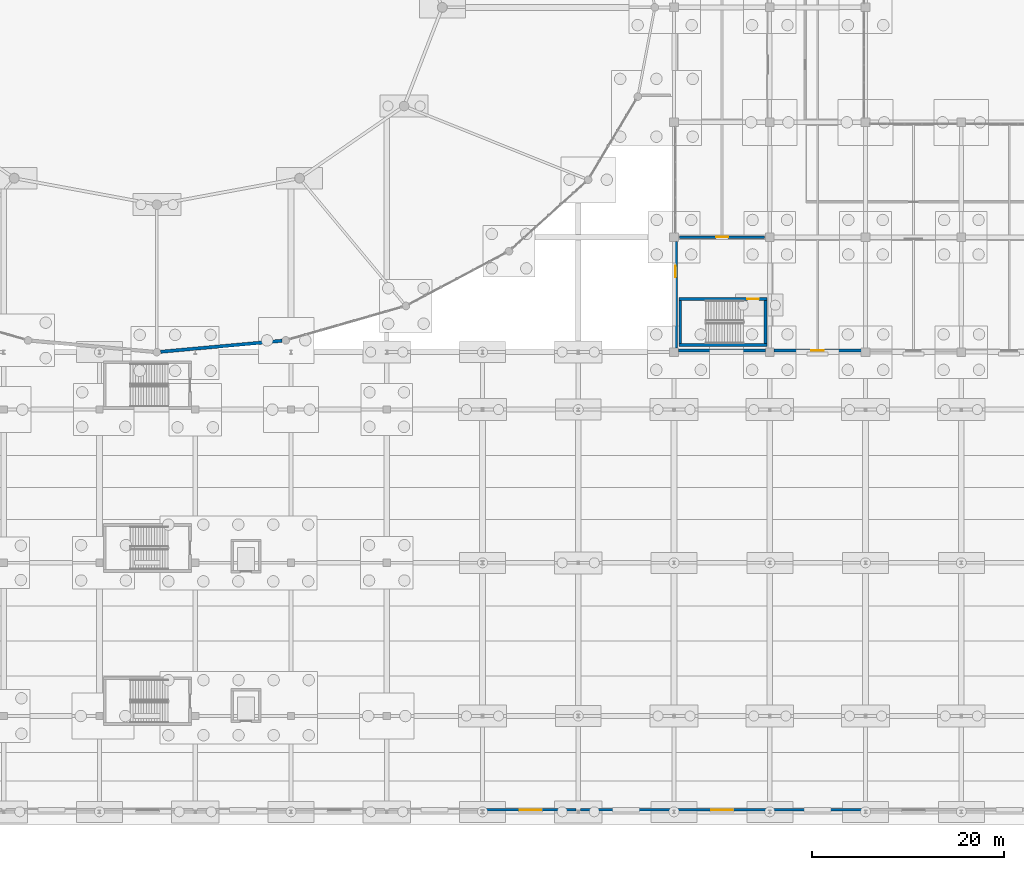
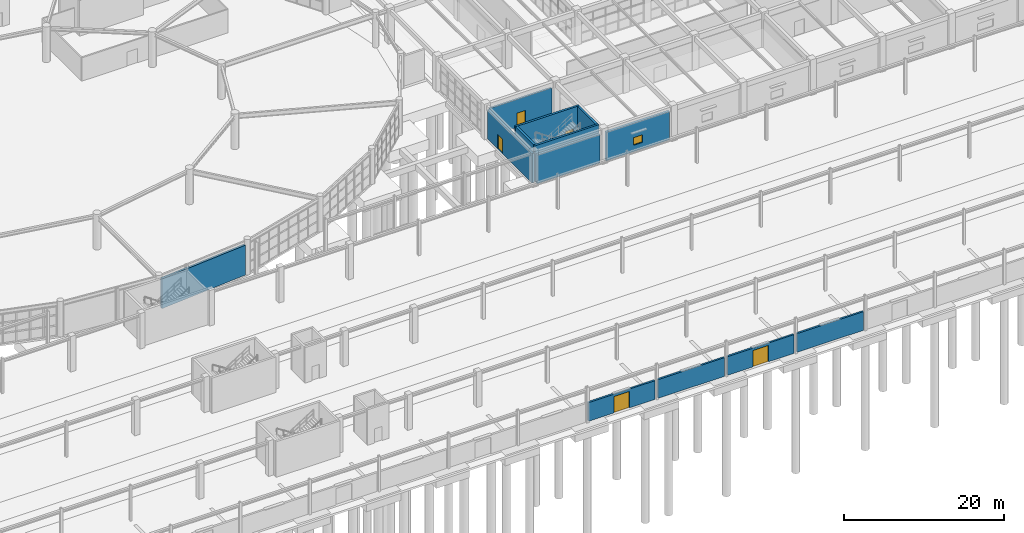
# One storey, part 76 of 99: 13 walls, 5 doors, 1 window, 6 openings.
"""IFC4 building model written with IfcOpenShell, lengths in metres."""

from ifc_helpers import new_model, si_unit, direction, frame, frame_2d, origin, place, context, subcontext, project, spatial, rectangle, extrude, material, layer, layer_set, type_object, element, fill, save


model = new_model("IFC4")

# Units and contexts
model_context = context("Model", 3, precision=1e-05, world=origin(), true_north=direction((0.0, 1.0)))
body_context = subcontext(model_context, "Body", "Model", "MODEL_VIEW")
ifc_project = project(units=[si_unit("LENGTHUNIT", "METRE"), si_unit("AREAUNIT", "SQUARE_METRE"), si_unit("VOLUMEUNIT", "CUBIC_METRE"), si_unit("PLANEANGLEUNIT", "RADIAN"), si_unit("MASSUNIT", "GRAM", prefix="KILO")], contexts=[model_context])

# Site, building, storey
site_placement = place(None, origin())
site = spatial("IfcSite", under=ifc_project, at=site_placement, CompositionType="ELEMENT")
building_placement = place(site_placement, origin())
building = spatial("IfcBuilding", under=site, at=building_placement, Name="Kivolera Central Railway Station", CompositionType="ELEMENT")
storey_placement = place(building_placement, origin())
storey = spatial("IfcBuildingStorey", under=building, at=storey_placement, Name="L00", CompositionType="ELEMENT", Elevation=0.0)

# Wall
ifc_material_1 = material(Name="Concrete C40/50", Category="concrete")
ifc_layer_1 = layer(ifc_material_1, 0.300048828125, Name="Concrete C40/50")
ifc_layer_set_1 = layer_set([ifc_layer_1], Name="Concrete C40/50")
wall_type_1 = type_object("IfcWallType", Name="WL-CORE-300", PredefinedType="SHEAR", material=ifc_layer_set_1)
wall_1_placement = place(storey_placement, frame((127.699951171875, 54.75, 0.0), z_axis=(0.0, 0.0, 1.0), x_axis=(-1.0, 0.0, 0.0)))
element("IfcWall", 1, at=wall_1_placement, inside=storey, type_object=wall_type_1, Name="L00 ST4 Core Right Shear Wall", PredefinedType="SHEAR", context=body_context, shape_type="SweptSolid", body=[
    extrude(rectangle(XDim=9.199951171875, YDim=0.300048828125, at=frame_2d((4.60009765625, 0.0))), origin(), (0.0, 0.0, 1.0), 5.39990234375),
])

# Wall, opening, door
wall_2_placement = place(storey_placement, frame((118.5, 59.550048828125, 0.0), z_axis=(0.0, 0.0, 1.0), x_axis=(1.0, 0.0, 0.0)))
wall_2 = element("IfcWall", 2, at=wall_2_placement, inside=storey, type_object=wall_type_1, Name="L00 ST4 Core Left Shear Wall", PredefinedType="SHEAR", context=body_context, shape_type="SweptSolid", body=[
    extrude(rectangle(XDim=9.199951171875, YDim=0.300048828125, at=frame_2d((4.60009765625, 0.0))), origin(), (0.0, 0.0, 1.0), 5.39990234375),
])
opening_1_placement = place(wall_2_placement, frame((7.14990234375, 0.0, 0.0)))
opening_1 = element("IfcOpeningElement", 3, at=opening_1_placement, cuts=wall_2, Name="Opening D-STAIR-1200", PredefinedType="OPENING", context=body_context, shape_type="SweptSolid", body=[
    extrude(rectangle(XDim=1.199951171875, YDim=2.14990234375, at=frame_2d((0.60009765625, 1.074951171875))), frame((0.0, 0.159912109375, 0.0), z_axis=(0.0, -1.0, 0.0), x_axis=(1.0, 0.0, 0.0)), (0.0, 0.0, 1.0), 0.320068359375),
])
ifc_material_2 = material(Name="Hardwood mvule timber", Category="wood")
door_type_1 = type_object("IfcDoorType", Name="DR-D-STAIR-1200", OperationType="NOTDEFINED", PredefinedType="DOOR", material=ifc_material_2)
door_1_placement = place(opening_1_placement, origin())
door_1 = element("IfcDoor", 4, at=door_1_placement, inside=storey, type_object=door_type_1, Name="L00 ST4 Lobby Fire Door", OperationType="SINGLE_SWING_RIGHT", OverallHeight=2.14990234375, OverallWidth=1.199951171875, PredefinedType="DOOR", context=body_context, shape_type="SweptSolid", body=[
    extrude(rectangle(XDim=1.199951171875, YDim=2.14990234375, at=frame_2d((0.60009765625, 1.074951171875))), frame((0.0, 0.02490234375, 0.0), z_axis=(0.0, -1.0, 0.0), x_axis=(1.0, 0.0, 0.0)), (0.0, 0.0, 1.0), 0.050048828125),
])
fill(opening_1, door_1)

# Walls
for number, where, z_axis, x_axis, name in (
    (5, (127.550048828125, 59.39990234375, 0.0), (0.0, 0.0, 1.0), (0.0, -1.0, 0.0), "L00 ST4 Core Near Shear Wall"),
    (6, (118.64990234375, 54.89990234375, 0.0), (0.0, 0.0, 1.0), (0.0, 1.0, 0.0), "L00 ST4 Core Far Shear Wall"),
):
    element("IfcWall", number, at=place(storey_placement, frame(where, z_axis=z_axis, x_axis=x_axis)), inside=storey, type_object=wall_type_1, Name=name, PredefinedType="SHEAR", context=body_context, shape_type="SweptSolid", body=[
        extrude(rectangle(XDim=4.5, YDim=0.300048828125, at=frame_2d((2.25, 0.0))), origin(), (0.0, 0.0, 1.0), 5.39990234375),
    ])

# Wall, opening, door
ifc_material_3 = material(Name="Swahili coral limestone", Category="masonry")
ifc_layer_2 = layer(ifc_material_3, 0.27001953125, Name="Swahili coral limestone")
ifc_layer_set_2 = layer_set([ifc_layer_2], Name="Swahili coral limestone")
wall_type_2 = type_object("IfcWallType", Name="WL-EXT-CORAL-270", PredefinedType="SOLIDWALL", material=ifc_layer_set_2)
wall_3_placement = place(storey_placement, frame((107.780029296875, 6.199951171875, 0.0), z_axis=(0.0, 0.0, 1.0), x_axis=(-1.0, 0.0, 0.0)))
wall_3 = element("IfcWall", 7, at=wall_3_placement, inside=storey, type_object=wall_type_2, Name="Southern Trackside Coral-Limestone Screen Wall 10", PredefinedType="SOLIDWALL", context=body_context, shape_type="SweptSolid", body=[
    extrude(rectangle(XDim=9.56005859375, YDim=0.27001953125, at=frame_2d((4.780029296875, 0.0))), origin(), (0.0, 0.0, 1.0), 2.85009765625),
])
opening_2_placement = place(wall_3_placement, frame((3.655029296875, 0.0, 0.0)))
opening_2 = element("IfcOpeningElement", 8, at=opening_2_placement, cuts=wall_3, Name="Opening ED-2250", PredefinedType="OPENING", context=body_context, shape_type="SweptSolid", body=[
    extrude(rectangle(XDim=2.25, YDim=2.5, at=frame_2d((1.125, 1.25))), frame((0.0, 0.14501953125, 0.0), z_axis=(0.0, -1.0, 0.0), x_axis=(1.0, 0.0, 0.0)), (0.0, 0.0, 1.0), 0.2900390625),
])
ifc_material_4 = material(Name="Anodised aluminium", Category="aluminium")
door_type_2 = type_object("IfcDoorType", Name="DR-ED-2250", OperationType="NOTDEFINED", PredefinedType="DOOR", material=ifc_material_4)
door_2_placement = place(opening_2_placement, origin())
door_2 = element("IfcDoor", 9, at=door_2_placement, inside=storey, type_object=door_type_2, Name="Platform Southern Final Exit Discharge Door ED-21", OperationType="DOUBLE_DOOR_SINGLE_SWING", OverallHeight=2.5, OverallWidth=2.25, PredefinedType="DOOR", context=body_context, shape_type="SweptSolid", body=[
    extrude(rectangle(XDim=2.25, YDim=2.5, at=frame_2d((1.125, 1.25))), frame((0.0, 0.02490234375, 0.0), z_axis=(0.0, -1.0, 0.0), x_axis=(1.0, 0.0, 0.0)), (0.0, 0.0, 1.0), 0.050048828125),
])
fill(opening_2, door_2)

# Wall
wall_4_placement = place(storey_placement, frame((117.780029296875, 6.199951171875, 0.0), z_axis=(0.0, 0.0, 1.0), x_axis=(-1.0, 0.0, 0.0)))
element("IfcWall", 10, at=wall_4_placement, inside=storey, type_object=wall_type_2, Name="Southern Trackside Coral-Limestone Screen Wall 11", PredefinedType="SOLIDWALL", context=body_context, shape_type="SweptSolid", body=[
    extrude(rectangle(XDim=9.56005859375, YDim=0.27001953125, at=frame_2d((4.780029296875, 0.0))), origin(), (0.0, 0.0, 1.0), 2.85009765625),
])

# Wall, opening, door
wall_5_placement = place(storey_placement, frame((127.780029296875, 6.199951171875, 0.0), z_axis=(0.0, 0.0, 1.0), x_axis=(-1.0, 0.0, 0.0)))
wall_5 = element("IfcWall", 11, at=wall_5_placement, inside=storey, type_object=wall_type_2, Name="Southern Trackside Coral-Limestone Screen Wall 12", PredefinedType="SOLIDWALL", context=body_context, shape_type="SweptSolid", body=[
    extrude(rectangle(XDim=9.56005859375, YDim=0.27001953125, at=frame_2d((4.780029296875, 0.0))), origin(), (0.0, 0.0, 1.0), 2.85009765625),
])
opening_3_placement = place(wall_5_placement, frame((3.655029296875, 0.0, 0.0)))
opening_3 = element("IfcOpeningElement", 12, at=opening_3_placement, cuts=wall_5, Name="Opening ED-2250", PredefinedType="OPENING", context=body_context, shape_type="SweptSolid", body=[
    extrude(rectangle(XDim=2.25, YDim=2.5, at=frame_2d((1.125, 1.25))), frame((0.0, 0.14501953125, 0.0), z_axis=(0.0, -1.0, 0.0), x_axis=(1.0, 0.0, 0.0)), (0.0, 0.0, 1.0), 0.2900390625),
])
door_3_placement = place(opening_3_placement, origin())
door_3 = element("IfcDoor", 13, at=door_3_placement, inside=storey, type_object=door_type_2, Name="Platform Southern Final Exit Discharge Door ED-22", OperationType="DOUBLE_DOOR_SINGLE_SWING", OverallHeight=2.5, OverallWidth=2.25, PredefinedType="DOOR", context=body_context, shape_type="SweptSolid", body=[
    extrude(rectangle(XDim=2.25, YDim=2.5, at=frame_2d((1.125, 1.25))), frame((0.0, 0.02490234375, 0.0), z_axis=(0.0, -1.0, 0.0), x_axis=(1.0, 0.0, 0.0)), (0.0, 0.0, 1.0), 0.050048828125),
])
fill(opening_3, door_3)

# Walls
wall_6_placement = place(storey_placement, frame((137.780029296875, 6.199951171875, 0.0), z_axis=(0.0, 0.0, 1.0), x_axis=(-1.0, 0.0, 0.0)))
element("IfcWall", 14, at=wall_6_placement, inside=storey, type_object=wall_type_2, Name="Southern Trackside Coral-Limestone Screen Wall 13", PredefinedType="SOLIDWALL", context=body_context, shape_type="SweptSolid", body=[
    extrude(rectangle(XDim=9.56005859375, YDim=0.27001953125, at=frame_2d((4.780029296875, 0.0))), origin(), (0.0, 0.0, 1.0), 2.85009765625),
])
ifc_layer_3 = layer(ifc_material_3, 0.340087890625, Name="Swahili coral limestone")
ifc_layer_set_3 = layer_set([ifc_layer_3], Name="Swahili coral limestone")
wall_type_3 = type_object("IfcWallType", Name="WL-EXT-PLINTH-340", PredefinedType="SOLIDWALL", material=ifc_layer_set_3)
wall_7_placement = place(storey_placement, frame((77.06103515625, 55.19091796875, 0.0), z_axis=(0.0, 0.0, 1.0), x_axis=(-0.995865935197, -0.090835230574, 0.0)))
element("IfcWall", 15, at=wall_7_placement, inside=storey, type_object=wall_type_3, Name="Oval Concourse Entrance Portal Wall Bay 19", PredefinedType="SOLIDWALL", context=body_context, shape_type="SweptSolid", body=[
    extrude(rectangle(XDim=12.715576171875, YDim=0.340087890625, at=frame_2d((6.35791015625, 0.0))), origin(), (0.0, 0.0, 1.0), 4.5400390625),
])

# Wall, opening, door
wall_8_placement = place(storey_placement, frame((118.169921875, 54.445068359375, 0.0), z_axis=(0.0, 0.0, 1.0), x_axis=(0.0, 1.0, 0.0)))
wall_8 = element("IfcWall", 16, at=wall_8_placement, inside=storey, type_object=wall_type_3, Name="L00 West Facade Wall E-F", PredefinedType="SOLIDWALL", context=body_context, shape_type="SweptSolid", body=[
    extrude(rectangle(XDim=11.10986328125, YDim=0.340087890625, at=frame_2d((5.554931640625, 0.0))), origin(), (0.0, 0.0, 1.0), 4.4580078125),
])
opening_4_placement = place(wall_8_placement, frame((7.35498046875, 0.0, 0.0)))
opening_4 = element("IfcOpeningElement", 17, at=opening_4_placement, cuts=wall_8, Name="Opening ED-FD60-1200", PredefinedType="OPENING", context=body_context, shape_type="SweptSolid", body=[
    extrude(rectangle(XDim=1.199951171875, YDim=2.199951171875, at=frame_2d((0.60009765625, 1.10009765625))), frame((0.0, 0.179931640625, 0.0), z_axis=(0.0, -1.0, 0.0), x_axis=(1.0, 0.0, 0.0)), (0.0, 0.0, 1.0), 0.360107421875),
])
door_type_3 = type_object("IfcDoorType", Name="DR-ED-FD60-1200", OperationType="NOTDEFINED", PredefinedType="DOOR", material=ifc_material_4)
door_4_placement = place(opening_4_placement, origin())
door_4 = element("IfcDoor", 18, at=door_4_placement, inside=storey, type_object=door_type_3, Name="Stair ST4 West Fire-Lane Exit Door ED-36", OperationType="SINGLE_SWING_LEFT", OverallHeight=2.199951171875, OverallWidth=1.199951171875, PredefinedType="DOOR", context=body_context, shape_type="SweptSolid", body=[
    extrude(rectangle(XDim=1.199951171875, YDim=2.199951171875, at=frame_2d((0.60009765625, 1.10009765625))), frame((0.0, 0.02490234375, 0.0), z_axis=(0.0, -1.0, 0.0), x_axis=(1.0, 0.0, 0.0)), (0.0, 0.0, 1.0), 0.050048828125),
])
fill(opening_4, door_4)

# Wall
wall_9_placement = place(storey_placement, frame((127.554931640625, 54.169921875, 0.0), z_axis=(0.0, 0.0, 1.0), x_axis=(-1.0, 0.0, 0.0)))
element("IfcWall", 19, at=wall_9_placement, inside=storey, type_object=wall_type_3, Name="L00 South Facade Wall 118-128", PredefinedType="SOLIDWALL", context=body_context, shape_type="SweptSolid", body=[
    extrude(rectangle(XDim=9.10986328125, YDim=0.340087890625, at=frame_2d((4.554931640625, 0.0))), origin(), (0.0, 0.0, 1.0), 4.35791015625),
])

# Wall, opening, window
wall_10_placement = place(storey_placement, frame((137.554931640625, 54.169921875, 0.0), z_axis=(0.0, 0.0, 1.0), x_axis=(-1.0, 0.0, 0.0)))
wall_10 = element("IfcWall", 20, at=wall_10_placement, inside=storey, type_object=wall_type_3, Name="L00 South Facade Wall 128-138", PredefinedType="SOLIDWALL", context=body_context, shape_type="SweptSolid", body=[
    extrude(rectangle(XDim=9.10986328125, YDim=0.340087890625, at=frame_2d((4.554931640625, 0.0))), origin(), (0.0, 0.0, 1.0), 4.35791015625),
])
opening_5_placement = place(wall_10_placement, frame((3.905029296875, 0.0, 1.0)))
opening_5 = element("IfcOpeningElement", 21, at=opening_5_placement, cuts=wall_10, Name="Opening WN-03", PredefinedType="OPENING", context=body_context, shape_type="SweptSolid", body=[
    extrude(rectangle(XDim=1.300048828125, YDim=1.14990234375, at=frame_2d((0.64990234375, 0.574951171875))), frame((0.0, 0.179931640625, 0.0), z_axis=(0.0, -1.0, 0.0), x_axis=(1.0, 0.0, 0.0)), (0.0, 0.0, 1.0), 0.360107421875),
])
ifc_material_5 = material(Name="Double low-E laminated glass", Category="glass")
window_type = type_object("IfcWindowType", Name="WIN-WN-03", PartitioningType="SINGLE_PANEL", PredefinedType="WINDOW", material=ifc_material_5)
window_placement = place(opening_5_placement, origin())
window = element("IfcWindow", 22, at=window_placement, inside=storey, type_object=window_type, Name="L00 South Facade Window 128", OverallHeight=1.14990234375, OverallWidth=1.300048828125, PartitioningType="SINGLE_PANEL", PredefinedType="WINDOW", context=body_context, shape_type="SweptSolid", body=[
    extrude(rectangle(XDim=1.300048828125, YDim=1.14990234375, at=frame_2d((0.64990234375, 0.574951171875))), frame((0.0, 0.030029296875, 0.0), z_axis=(0.0, -1.0, 0.0), x_axis=(1.0, 0.0, 0.0)), (0.0, 0.0, 1.0), 0.06005859375),
])
fill(opening_5, window)

# Wall, opening, door
ifc_layer_4 = layer(ifc_material_1, 0.25, Name="Concrete C40/50")
ifc_layer_set_4 = layer_set([ifc_layer_4], Name="Concrete C40/50")
wall_type_4 = type_object("IfcWallType", Name="WL-FFL-250", PredefinedType="PARTITIONING", material=ifc_layer_set_4)
wall_11_placement = place(storey_placement, frame((118.550048828125, 66.0, 0.0), z_axis=(0.0, 0.0, 1.0), x_axis=(1.0, 0.0, 0.0)))
wall_11 = element("IfcWall", 23, at=wall_11_placement, inside=storey, type_object=wall_type_4, Name="L00 ST4 Lobby Wall", PredefinedType="PARTITIONING", context=body_context, shape_type="SweptSolid", body=[
    extrude(rectangle(XDim=8.89990234375, YDim=0.25, at=frame_2d((4.449951171875, 0.0))), origin(), (0.0, 0.0, 1.0), 4.258056640625),
])
opening_6_placement = place(wall_11_placement, frame((3.85009765625, 0.0, 0.0)))
opening_6 = element("IfcOpeningElement", 24, at=opening_6_placement, cuts=wall_11, Name="Opening D-FFL-1250", PredefinedType="OPENING", context=body_context, shape_type="SweptSolid", body=[
    extrude(rectangle(XDim=1.25, YDim=2.14990234375, at=frame_2d((0.625, 1.074951171875))), frame((0.0, 0.135009765625, 0.0), z_axis=(0.0, -1.0, 0.0), x_axis=(1.0, 0.0, 0.0)), (0.0, 0.0, 1.0), 0.27001953125),
])
door_type_4 = type_object("IfcDoorType", Name="DR-D-FFL-1250", OperationType="NOTDEFINED", PredefinedType="DOOR", material=ifc_material_2)
door_5_placement = place(opening_6_placement, origin())
door_5 = element("IfcDoor", 25, at=door_5_placement, inside=storey, type_object=door_type_4, Name="L00 ST4 Lobby Corridor Door", OperationType="SINGLE_SWING_RIGHT", OverallHeight=2.14990234375, OverallWidth=1.25, PredefinedType="DOOR", context=body_context, shape_type="SweptSolid", body=[
    extrude(rectangle(XDim=1.25, YDim=2.14990234375, at=frame_2d((0.625, 1.074951171875))), frame((0.0, 0.02490234375, 0.0), z_axis=(0.0, -1.0, 0.0), x_axis=(1.0, 0.0, 0.0)), (0.0, 0.0, 1.0), 0.050048828125),
])
fill(opening_6, door_5)

save(model, "model.ifc")
